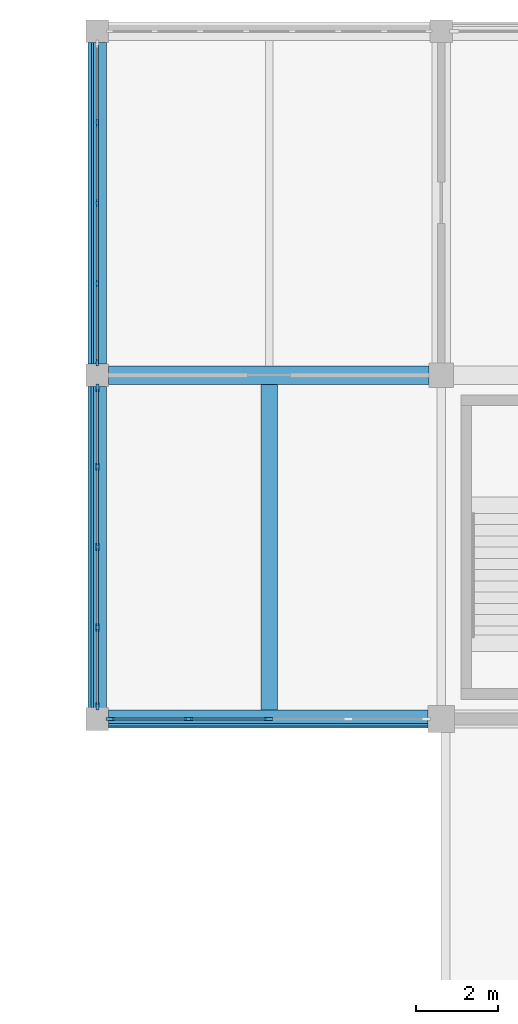
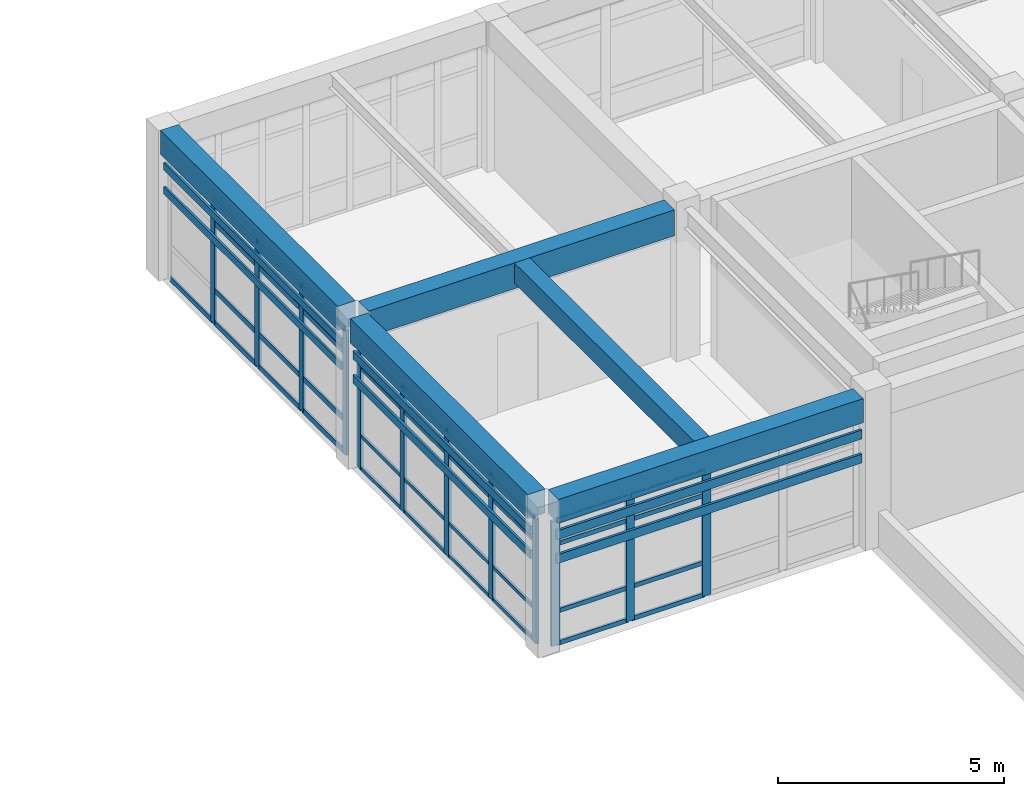
# One storey, part 2 of 18: 55 members, 5 beams, 3 elements without a shape of their own.
"""IFC4 building model written with IfcOpenShell, lengths in metres."""

import ifcopenshell
import ifcopenshell.guid

model = None  # the IFC model being written
_history = None  # IfcOwnerHistory: only IFC2X3 demands one
_inside = {}  # id of a spatial element -> (the spatial element, [elements in it])
_under = {}  # id of a project, library or spatial element -> (it, [spatial elements below it])
_declared = {}  # id of a project -> (the project, [libraries it declares])
_typed = {}  # id of a type object -> (the type object, [elements of that type])
_made_of = {}  # id of a material, layer set ... -> (it, [elements and type objects made of it])


def new_model(schema):
    """Start an empty IFC model of exactly this schema.

    Asked for "IFC4X3", IfcOpenShell would pick the latest addendum, in which some entities
    have other attributes; the version numbers below select the first issue.
    IFC2X3 requires an IfcOwnerHistory on every rooted entity: one is made here for all.
    """
    global model, _history
    if schema == "IFC4X3":
        model = ifcopenshell.file(schema_version=(4, 3, 0, 0))
    else:
        model = ifcopenshell.file(schema=schema)
    _inside.clear()
    _under.clear()
    _declared.clear()
    _typed.clear()
    _made_of.clear()
    _history = None
    if model.schema == "IFC2X3":
        org = make("IfcOrganization", Name="unknown")
        user = make(
            "IfcPersonAndOrganization",
            ThePerson=make("IfcPerson", FamilyName="unknown"),
            TheOrganization=org,
        )
        app = make(
            "IfcApplication",
            ApplicationDeveloper=org,
            Version="unknown",
            ApplicationFullName="unknown",
            ApplicationIdentifier="unknown",
        )
        _history = make(
            "IfcOwnerHistory",
            OwningUser=user,
            OwningApplication=app,
            ChangeAction="ADDED",
            CreationDate=0,
        )
    return model


def make(cls, **values):
    """One entity of the class cls with the attributes given. An attribute that is None is left unset."""
    return model.create_entity(
        cls, **{name: value for name, value in values.items() if value is not None}
    )


def rooted(cls, **values):
    """An entity with a GlobalId (a new one), such as an element, a storey or a relation."""
    return make(cls, GlobalId=ifcopenshell.guid.new(), OwnerHistory=_history, **values)


def si_unit(unit_type, name, prefix=None):
    """IfcSIUnit, for example si_unit("LENGTHUNIT", "METRE", prefix="MILLI")."""
    return make("IfcSIUnit", UnitType=unit_type, Prefix=prefix, Name=name)


def assignment(units):
    """IfcUnitAssignment: the units of a project."""
    return None if units is None else make("IfcUnitAssignment", Units=units)


def point(xyz):
    """IfcCartesianPoint."""
    return None if xyz is None else make("IfcCartesianPoint", Coordinates=xyz)


def direction(xyz):
    """IfcDirection."""
    return None if xyz is None else make("IfcDirection", DirectionRatios=xyz)


def frame(location, z_axis=None, x_axis=None):
    """IfcAxis2Placement3D, a coordinate frame: its origin and axes. An axis left out is left unset."""
    return make(
        "IfcAxis2Placement3D",
        Location=point(location),
        Axis=direction(z_axis),
        RefDirection=direction(x_axis),
    )


def frame_2d(location, x_axis=None):
    """IfcAxis2Placement2D, a coordinate frame in the plane: its origin and x axis."""
    return make(
        "IfcAxis2Placement2D", Location=point(location), RefDirection=direction(x_axis)
    )


def origin():
    """The frame at (0, 0, 0) with its axes left unset."""
    return frame((0.0, 0.0, 0.0))


def origin_2d():
    """The frame at (0, 0) in the plane with its x axis left unset."""
    return frame_2d((0.0, 0.0))


def place(relative_to, where):
    """IfcLocalPlacement: puts the frame where relative to a parent placement (None: the world)."""
    return make(
        "IfcLocalPlacement", PlacementRelTo=relative_to, RelativePlacement=where
    )


def context(
    kind, dimensions, precision=None, world=None, true_north=None, identifier=None
):
    """IfcGeometricRepresentationContext, for example the 3D "Model" context."""
    return make(
        "IfcGeometricRepresentationContext",
        ContextIdentifier=identifier,
        ContextType=kind,
        CoordinateSpaceDimension=dimensions,
        Precision=precision,
        WorldCoordinateSystem=world,
        TrueNorth=true_north,
    )


def subcontext(parent, identifier, kind, view, scale=None):
    """IfcGeometricRepresentationSubContext, for example "Body" below "Model"."""
    return make(
        "IfcGeometricRepresentationSubContext",
        ContextIdentifier=identifier,
        ContextType=kind,
        ParentContext=parent,
        TargetScale=scale,
        TargetView=view,
    )


def project(units=None, contexts=None):
    """IfcProject with its units and contexts."""
    return rooted(
        "IfcProject",
        Name="project",
        RepresentationContexts=contexts,
        UnitsInContext=assignment(units),
    )


def spatial(cls, under=None, at=None, **own):
    """A site, building, storey or space (cls), placed at a placement, below another one or the project."""
    s = rooted(cls, ObjectPlacement=at, **own)
    if under is not None:
        _under.setdefault(under.id(), (under, []))[1].append(s)
    return s


def profile(cls, at=None, kind="AREA", **sizes):
    """A parametric profile (cls). Its sizes go by their IFC names, for example OverallWidth=200.0."""
    return make(cls, ProfileType=kind, Position=at, **sizes)


def rectangle(**sizes):
    """IfcRectangleProfileDef."""
    return profile("IfcRectangleProfileDef", **sizes)


def extrude(swept, where, along, depth):
    """IfcExtrudedAreaSolid: the profile swept, set in the frame where, extruded along a direction by depth."""
    return make(
        "IfcExtrudedAreaSolid",
        SweptArea=swept,
        Position=where,
        ExtrudedDirection=direction(along),
        Depth=depth,
    )


def shape(context_of_items, identifier, shape_type, items):
    """IfcShapeRepresentation: the items that make up one representation, for example the "Body"."""
    return make(
        "IfcShapeRepresentation",
        ContextOfItems=context_of_items,
        RepresentationIdentifier=identifier,
        RepresentationType=shape_type,
        Items=items,
    )


def material(Name=None, Category=None):
    """IfcMaterial."""
    return make("IfcMaterial", Name=Name, Category=Category)


def layer(
    of_material, thickness, ventilated=None, Name=None, Category=None, Priority=None
):
    """IfcMaterialLayer: one layer of a wall or slab, of a material (None: an air gap)."""
    return make(
        "IfcMaterialLayer",
        Material=of_material,
        LayerThickness=thickness,
        IsVentilated=ventilated,
        Name=Name,
        Category=Category,
        Priority=Priority,
    )


def layer_set(layers, Name=None):
    """IfcMaterialLayerSet."""
    return make("IfcMaterialLayerSet", MaterialLayers=layers, LayerSetName=Name)


def material_profile(
    of_material, cross_section, Name=None, Category=None, Priority=None
):
    """IfcMaterialProfile: a cross section and its material."""
    return make(
        "IfcMaterialProfile",
        Name=Name,
        Material=of_material,
        Profile=cross_section,
        Priority=Priority,
        Category=Category,
    )


def profile_set(profiles, Name=None, composite=None):
    """IfcMaterialProfileSet."""
    return make(
        "IfcMaterialProfileSet",
        Name=Name,
        MaterialProfiles=profiles,
        CompositeProfile=composite,
    )


def made_of(thing, what):
    """Note that an element or type object is made of a material, layer set ...; save() writes the relation."""
    if what is not None:
        _made_of.setdefault(what.id(), (what, []))[1].append(thing)
    return thing


def type_object(cls, material=None, **own):
    """A type object (cls), such as IfcWallType, which elements share."""
    return made_of(rooted(cls, **own), material)


def element(
    cls,
    number,
    at=None,
    inside=None,
    cuts=None,
    type_object=None,
    material=None,
    context=None,
    identifier="Body",
    shape_type=None,
    held_by="IfcProductDefinitionShape",
    body=None,
    shapes=None,
    **own,
):
    """One element of the class cls, such as IfcWall. Its Tag is "e" and its number.

    at: its placement. inside: the storey or other place that contains it. cuts: it is an
    opening in that element (IfcRelVoidsElement). A single representation is given by context,
    identifier, shape_type and body (its items); several are given by shapes. held_by: the class
    of the entity that holds the representations. save() writes the other relations.
    """
    e = rooted(cls, Tag="e%d" % number, ObjectPlacement=at, **own)
    if body is not None:
        shapes = [shape(context, identifier, shape_type, body)]
    if shapes is not None:
        e.Representation = make(held_by, Representations=shapes)
    if inside is not None:
        _inside.setdefault(inside.id(), (inside, []))[1].append(e)
    if cuts is not None:
        rooted(
            "IfcRelVoidsElement", RelatingBuildingElement=cuts, RelatedOpeningElement=e
        )
    if type_object is not None:
        _typed.setdefault(type_object.id(), (type_object, []))[1].append(e)
    return made_of(e, material)


def aggregate(whole, parts):
    """IfcRelAggregates: a whole, such as a stair, and the parts it consists of."""
    return rooted("IfcRelAggregates", RelatingObject=whole, RelatedObjects=parts)


def save(model, path):
    """Write the relations noted so far, then the file.

    IfcRelAggregates (storeys below a building ...), IfcRelContainedInSpatialStructure (elements
    in a storey), IfcRelDefinesByType, IfcRelAssociatesMaterial and IfcRelDeclares: one each for
    every whole, place, type object, material and project.
    """
    for whole, parts in _under.values():
        aggregate(whole, parts)
    for where, things in _inside.values():
        rooted(
            "IfcRelContainedInSpatialStructure",
            RelatedElements=things,
            RelatingStructure=where,
        )
    for kind, things in _typed.values():
        rooted("IfcRelDefinesByType", RelatedObjects=things, RelatingType=kind)
    for what, things in _made_of.values():
        rooted("IfcRelAssociatesMaterial", RelatedObjects=things, RelatingMaterial=what)
    for by, libraries in _declared.values():
        rooted("IfcRelDeclares", RelatingContext=by, RelatedDefinitions=libraries)
    model.write(path)


model = new_model("IFC4")

# Units and contexts
model_context = context("Model", 3, precision=1e-05, world=origin(), true_north=direction((0.0, 1.0)))
body_context = subcontext(model_context, "Body", "Model", "MODEL_VIEW")
ifc_project = project(units=[si_unit("LENGTHUNIT", "METRE"), si_unit("AREAUNIT", "SQUARE_METRE"), si_unit("VOLUMEUNIT", "CUBIC_METRE"), si_unit("PLANEANGLEUNIT", "RADIAN"), si_unit("MASSUNIT", "GRAM", prefix="KILO")], contexts=[model_context])

# Site, building, storey
site_placement = place(None, origin())
site = spatial("IfcSite", under=ifc_project, at=site_placement, CompositionType="ELEMENT")
building_placement = place(site_placement, origin())
building = spatial("IfcBuilding", under=site, at=building_placement, Name="Porcellanite Civic Hall", CompositionType="ELEMENT")
storey_placement = place(building_placement, frame((0.0, 0.0, 23.39990234375)))
storey = spatial("IfcBuildingStorey", under=building, at=storey_placement, Name="L05", CompositionType="ELEMENT", Elevation=23.39990234375)

# Beams
ifc_material_1 = material(Name="Concrete N50 (50 MPa)", Category="concrete")
ifc_material_profile_1 = material_profile(ifc_material_1, rectangle(XDim=0.39990234375, YDim=0.550048828125, at=origin_2d()), Name="RC-400x550")
ifc_profile_set_1 = profile_set([ifc_material_profile_1], Name="Concrete N50 (50 MPa)")
beam_type_1 = type_object("IfcBeamType", Name="BM-RC550", PredefinedType="JOIST", material=ifc_profile_set_1)
beam_1_placement = place(storey_placement, frame((46.199951171875, 101.0244140625, 3.795166015625), z_axis=(0.0, 1.0, 0.0), x_axis=(-1.0, 0.0, 0.0)))
element("IfcBeam", 1, at=beam_1_placement, inside=storey, type_object=beam_type_1, Name="Secondary joist L05 6-13", PredefinedType="JOIST", context=body_context, shape_type="SweptSolid", body=[
    extrude(rectangle(XDim=0.39990234375, YDim=0.550048828125, at=origin_2d()), origin(), (0.0, 0.0, 1.0), 7.951171875),
])
ifc_material_2 = material(Name="Concrete N50 (50 MPa)", Category="concrete")
ifc_material_profile_2 = material_profile(ifc_material_2, rectangle(XDim=0.449951171875, YDim=0.64990234375, at=origin_2d()), Name="RC-450x650")
ifc_profile_set_2 = profile_set([ifc_material_profile_2], Name="Concrete N50 (50 MPa)")
beam_type_2 = type_object("IfcBeamType", Name="BM-RC650", PredefinedType="SPANDREL", material=ifc_profile_set_2)
beam_2_placement = place(storey_placement, frame((42.2744140625, 100.800048828125, 3.7451171875), z_axis=(1.0, 0.0, 0.0), x_axis=(0.0, 1.0, 0.0)))
element("IfcBeam", 2, at=beam_2_placement, inside=storey, type_object=beam_type_2, Name="Beam X L05 6-13", PredefinedType="SPANDREL", context=body_context, shape_type="SweptSolid", body=[
    extrude(rectangle(XDim=0.449951171875, YDim=0.64990234375, at=origin_2d()), origin(), (0.0, 0.0, 1.0), 7.801025390625),
])
beam_3_placement = place(storey_placement, frame((42.0, 101.074462890625, 3.7451171875), z_axis=(0.0, 1.0, 0.0), x_axis=(-1.0, 0.0, 0.0)))
element("IfcBeam", 3, at=beam_3_placement, inside=storey, type_object=beam_type_2, Name="Beam Y L05 6-13", PredefinedType="SPANDREL", context=body_context, shape_type="SweptSolid", body=[
    extrude(rectangle(XDim=0.449951171875, YDim=0.64990234375, at=origin_2d()), origin(), (0.0, 0.0, 1.0), 7.85107421875),
])
beam_4_placement = place(storey_placement, frame((42.0, 109.474609375, 3.7451171875), z_axis=(0.0, 1.0, 0.0), x_axis=(-1.0, 0.0, 0.0)))
element("IfcBeam", 4, at=beam_4_placement, inside=storey, type_object=beam_type_2, Name="Beam Y L05 6-14", PredefinedType="SPANDREL", context=body_context, shape_type="SweptSolid", body=[
    extrude(rectangle(XDim=0.449951171875, YDim=0.64990234375, at=origin_2d()), origin(), (0.0, 0.0, 1.0), 7.850830078125),
])
ifc_material_3 = material(Name="Concrete N50 (50 MPa)", Category="concrete")
ifc_material_profile_3 = material_profile(ifc_material_3, rectangle(XDim=0.449951171875, YDim=0.699951171875, at=origin_2d()), Name="RC-450x700")
ifc_profile_set_3 = profile_set([ifc_material_profile_3], Name="Concrete N50 (50 MPa)")
beam_type_3 = type_object("IfcBeamType", Name="BM-RC700", PredefinedType="BEAM", material=ifc_profile_set_3)
beam_5_placement = place(storey_placement, frame((42.2744140625, 109.199951171875, 3.72021484375), z_axis=(1.0, 0.0, 0.0), x_axis=(0.0, 1.0, 0.0)))
element("IfcBeam", 5, at=beam_5_placement, inside=storey, type_object=beam_type_3, Name="Beam X L05 6-14", PredefinedType="BEAM", context=body_context, shape_type="SweptSolid", body=[
    extrude(rectangle(XDim=0.449951171875, YDim=0.699951171875, at=origin_2d()), origin(), (0.0, 0.0, 1.0), 7.826171875),
])

# Curtain wall, members
ifc_material_4 = material(Name="Anodised aluminium and solar laminated glass", Category="aluminium")
ifc_layer_1 = layer(ifc_material_4, 0.179931640625)
ifc_layer_set_1 = layer_set([ifc_layer_1], Name="Anodised aluminium and solar laminated glass")
curtain_wall_type_1 = type_object("IfcCurtainWallType", Name="CW-SYS03", PredefinedType="NOTDEFINED", material=ifc_layer_set_1)
curtain_wall_1_placement = place(storey_placement, origin())
curtain_wall_1 = element("IfcCurtainWall", 6, at=curtain_wall_1_placement, inside=storey, type_object=curtain_wall_type_1, Name="Curtain wall CW-258", PredefinedType="NOTDEFINED")
ifc_material_5 = material(Name="Anodised aluminium 6063-T6", Category="aluminium")
ifc_material_profile_4 = material_profile(ifc_material_5, rectangle(XDim=0.080078125, YDim=0.2099609375, at=origin_2d()), Name="AL-80x210")
ifc_profile_set_4 = profile_set([ifc_material_profile_4], Name="Anodised aluminium 6063-T6")
member_type_1 = type_object("IfcMemberType", Name="CWM-02", PredefinedType="MULLION", material=ifc_profile_set_4)
member_1_placement = place(storey_placement, frame((46.175048828125, 100.800048828125, 0.0), z_axis=(0.0, 0.0, 1.0), x_axis=(0.0, -1.0, 0.0)))
member_1 = element("IfcMember", 7, at=member_1_placement, type_object=member_type_1, Name="CW-258 mullion 3", PredefinedType="MULLION", context=body_context, shape_type="SweptSolid", body=[
    extrude(rectangle(XDim=0.080078125, YDim=0.2099609375, at=origin_2d()), origin(), (0.0, 0.0, 1.0), 3.3701171875),
])
member_2_placement = place(storey_placement, frame((44.2255859375, 100.800048828125, 0.0), z_axis=(0.0, 0.0, 1.0), x_axis=(0.0, -1.0, 0.0)))
member_2 = element("IfcMember", 8, at=member_2_placement, type_object=member_type_1, Name="CW-258 mullion 4", PredefinedType="MULLION", context=body_context, shape_type="SweptSolid", body=[
    extrude(rectangle(XDim=0.080078125, YDim=0.2099609375, at=origin_2d()), origin(), (0.0, 0.0, 1.0), 3.3701171875),
])
member_3_placement = place(storey_placement, frame((42.31591796875, 100.800048828125, 0.0), z_axis=(0.0, 0.0, 1.0), x_axis=(0.0, -1.0, 0.0)))
member_3 = element("IfcMember", 9, at=member_3_placement, type_object=member_type_1, Name="CW-258 mullion 5", PredefinedType="MULLION", context=body_context, shape_type="SweptSolid", body=[
    extrude(rectangle(XDim=0.080078125, YDim=0.2099609375, at=origin_2d()), origin(), (0.0, 0.0, 1.0), 3.3701171875),
])

ifc_material_6 = material(Name="Anodised aluminium and solar laminated glass", Category="aluminium")
ifc_layer_2 = layer(ifc_material_6, 0.179931640625)
ifc_layer_set_2 = layer_set([ifc_layer_2], Name="Anodised aluminium and solar laminated glass")
curtain_wall_type_2 = type_object("IfcCurtainWallType", Name="CW-SYS04", PredefinedType="NOTDEFINED", material=ifc_layer_set_2)
curtain_wall_2_placement = place(storey_placement, origin())
curtain_wall_2 = element("IfcCurtainWall", 10, at=curtain_wall_2_placement, inside=storey, type_object=curtain_wall_type_2, Name="Curtain wall CW-259", PredefinedType="NOTDEFINED")
ifc_material_7 = material(Name="Anodised aluminium 6063-T6", Category="aluminium")
ifc_material_profile_5 = material_profile(ifc_material_7, rectangle(XDim=0.074951171875, YDim=0.18994140625, at=origin_2d()), Name="AL-75x190")
ifc_profile_set_5 = profile_set([ifc_material_profile_5], Name="Anodised aluminium 6063-T6")
member_type_2 = type_object("IfcMemberType", Name="CWM-04", PredefinedType="MULLION", material=ifc_profile_set_5)
member_4_placement = place(storey_placement, frame((42.0, 101.113525390625, 0.0), z_axis=(0.0, 0.0, 1.0), x_axis=(-1.0, 0.0, 0.0)))
member_4 = element("IfcMember", 11, at=member_4_placement, type_object=member_type_2, Name="CW-259 mullion 1", PredefinedType="MULLION", context=body_context, shape_type="SweptSolid", body=[
    extrude(rectangle(XDim=0.074951171875, YDim=0.18994140625, at=origin_2d()), origin(), (0.0, 0.0, 1.0), 3.3701171875),
])
member_5_placement = place(storey_placement, frame((42.0, 103.0380859375, 0.0), z_axis=(0.0, 0.0, 1.0), x_axis=(-1.0, 0.0, 0.0)))
member_5 = element("IfcMember", 12, at=member_5_placement, type_object=member_type_2, Name="CW-259 mullion 2", PredefinedType="MULLION", context=body_context, shape_type="SweptSolid", body=[
    extrude(rectangle(XDim=0.074951171875, YDim=0.18994140625, at=origin_2d()), origin(), (0.0, 0.0, 1.0), 3.3701171875),
])
member_6_placement = place(storey_placement, frame((42.0, 105.0, 0.0), z_axis=(0.0, 0.0, 1.0), x_axis=(-1.0, 0.0, 0.0)))
member_6 = element("IfcMember", 13, at=member_6_placement, type_object=member_type_2, Name="CW-259 mullion 3", PredefinedType="MULLION", context=body_context, shape_type="SweptSolid", body=[
    extrude(rectangle(XDim=0.074951171875, YDim=0.18994140625, at=origin_2d()), origin(), (0.0, 0.0, 1.0), 3.3701171875),
])
member_7_placement = place(storey_placement, frame((42.0, 106.9619140625, 0.0), z_axis=(0.0, 0.0, 1.0), x_axis=(-1.0, 0.0, 0.0)))
member_7 = element("IfcMember", 14, at=member_7_placement, type_object=member_type_2, Name="CW-259 mullion 4", PredefinedType="MULLION", context=body_context, shape_type="SweptSolid", body=[
    extrude(rectangle(XDim=0.074951171875, YDim=0.18994140625, at=origin_2d()), origin(), (0.0, 0.0, 1.0), 3.3701171875),
])
member_8_placement = place(storey_placement, frame((42.0, 108.886474609375, 0.0), z_axis=(0.0, 0.0, 1.0), x_axis=(-1.0, 0.0, 0.0)))
member_8 = element("IfcMember", 15, at=member_8_placement, type_object=member_type_2, Name="CW-259 mullion 5", PredefinedType="MULLION", context=body_context, shape_type="SweptSolid", body=[
    extrude(rectangle(XDim=0.074951171875, YDim=0.18994140625, at=origin_2d()), origin(), (0.0, 0.0, 1.0), 3.3701171875),
])

ifc_material_8 = material(Name="Anodised aluminium and solar laminated glass", Category="aluminium")
ifc_layer_3 = layer(ifc_material_8, 0.179931640625)
ifc_layer_set_3 = layer_set([ifc_layer_3], Name="Anodised aluminium and solar laminated glass")
curtain_wall_type_3 = type_object("IfcCurtainWallType", Name="CW-SYS06", PredefinedType="NOTDEFINED", material=ifc_layer_set_3)
curtain_wall_3_placement = place(storey_placement, origin())
curtain_wall_3 = element("IfcCurtainWall", 16, at=curtain_wall_3_placement, inside=storey, type_object=curtain_wall_type_3, Name="Curtain wall CW-260", PredefinedType="NOTDEFINED")
ifc_material_9 = material(Name="Anodised aluminium 6063-T6", Category="aluminium")
ifc_material_profile_6 = material_profile(ifc_material_9, rectangle(XDim=0.06494140625, YDim=0.179931640625, at=origin_2d()), Name="AL-65x180")
ifc_profile_set_6 = profile_set([ifc_material_profile_6], Name="Anodised aluminium 6063-T6")
member_type_3 = type_object("IfcMemberType", Name="CWM-06", PredefinedType="MULLION", material=ifc_profile_set_6)
member_9_placement = place(storey_placement, frame((42.0, 109.508544921875, 0.0), z_axis=(0.0, 0.0, 1.0), x_axis=(-1.0, 0.0, 0.0)))
member_9 = element("IfcMember", 17, at=member_9_placement, type_object=member_type_3, Name="CW-260 mullion 1", PredefinedType="MULLION", context=body_context, shape_type="SweptSolid", body=[
    extrude(rectangle(XDim=0.06494140625, YDim=0.179931640625, at=origin_2d()), origin(), (0.0, 0.0, 1.0), 3.3701171875),
])
member_10_placement = place(storey_placement, frame((42.0, 111.43798828125, 0.0), z_axis=(0.0, 0.0, 1.0), x_axis=(-1.0, 0.0, 0.0)))
member_10 = element("IfcMember", 18, at=member_10_placement, type_object=member_type_3, Name="CW-260 mullion 2", PredefinedType="MULLION", context=body_context, shape_type="SweptSolid", body=[
    extrude(rectangle(XDim=0.06494140625, YDim=0.179931640625, at=origin_2d()), origin(), (0.0, 0.0, 1.0), 3.3701171875),
])
member_11_placement = place(storey_placement, frame((42.0, 113.39990234375, 0.0), z_axis=(0.0, 0.0, 1.0), x_axis=(-1.0, 0.0, 0.0)))
member_11 = element("IfcMember", 19, at=member_11_placement, type_object=member_type_3, Name="CW-260 mullion 3", PredefinedType="MULLION", context=body_context, shape_type="SweptSolid", body=[
    extrude(rectangle(XDim=0.06494140625, YDim=0.179931640625, at=origin_2d()), origin(), (0.0, 0.0, 1.0), 3.3701171875),
])
member_12_placement = place(storey_placement, frame((42.0, 115.362060546875, 0.0), z_axis=(0.0, 0.0, 1.0), x_axis=(-1.0, 0.0, 0.0)))
member_12 = element("IfcMember", 20, at=member_12_placement, type_object=member_type_3, Name="CW-260 mullion 4", PredefinedType="MULLION", context=body_context, shape_type="SweptSolid", body=[
    extrude(rectangle(XDim=0.06494140625, YDim=0.179931640625, at=origin_2d()), origin(), (0.0, 0.0, 1.0), 3.3701171875),
])

# Member
ifc_material_10 = material(Name="Anodised aluminium 6063-T6", Category="aluminium")
ifc_material_profile_7 = material_profile(ifc_material_10, rectangle(XDim=0.054931640625, YDim=0.1201171875, at=origin_2d()), Name="AL-55x120")
ifc_profile_set_7 = profile_set([ifc_material_profile_7], Name="Anodised aluminium 6063-T6")
member_type_4 = type_object("IfcMemberType", Name="CWT-04", PredefinedType="USERDEFINED", material=ifc_profile_set_7)
member_13_placement = place(storey_placement, frame((46.135009765625, 100.800048828125, 0.027587890625), z_axis=(-1.0, 0.0, 0.0), x_axis=(0.0, -1.0, 0.0)))
member_13 = element("IfcMember", 21, at=member_13_placement, type_object=member_type_4, Name="CW-258 transom 3.1", ObjectType="TRANSOM", PredefinedType="USERDEFINED", context=body_context, shape_type="SweptSolid", body=[
    extrude(rectangle(XDim=0.054931640625, YDim=0.1201171875, at=origin_2d()), origin(), (0.0, 0.0, 1.0), 1.86962890625),
])

member_14_placement = place(storey_placement, frame((46.135009765625, 100.800048828125, 0.900146484375), z_axis=(-1.0, 0.0, 0.0), x_axis=(0.0, -1.0, 0.0)))
member_14 = element("IfcMember", 22, at=member_14_placement, type_object=member_type_4, Name="CW-258 transom 3.2", ObjectType="TRANSOM", PredefinedType="USERDEFINED", context=body_context, shape_type="SweptSolid", body=[
    extrude(rectangle(XDim=0.054931640625, YDim=0.1201171875, at=origin_2d()), origin(), (0.0, 0.0, 1.0), 1.86962890625),
])

member_15_placement = place(storey_placement, frame((46.135009765625, 100.800048828125, 2.72021484375), z_axis=(-1.0, 0.0, 0.0), x_axis=(0.0, -1.0, 0.0)))
member_15 = element("IfcMember", 23, at=member_15_placement, type_object=member_type_4, Name="CW-258 transom 3.3", ObjectType="TRANSOM", PredefinedType="USERDEFINED", context=body_context, shape_type="SweptSolid", body=[
    extrude(rectangle(XDim=0.054931640625, YDim=0.1201171875, at=origin_2d()), origin(), (0.0, 0.0, 1.0), 1.86962890625),
])

member_16_placement = place(storey_placement, frame((46.135009765625, 100.800048828125, 3.342529296875), z_axis=(-1.0, 0.0, 0.0), x_axis=(0.0, -1.0, 0.0)))
member_16 = element("IfcMember", 24, at=member_16_placement, type_object=member_type_4, Name="CW-258 transom 3.4", ObjectType="TRANSOM", PredefinedType="USERDEFINED", context=body_context, shape_type="SweptSolid", body=[
    extrude(rectangle(XDim=0.054931640625, YDim=0.1201171875, at=origin_2d()), origin(), (0.0, 0.0, 1.0), 1.86962890625),
])

member_17_placement = place(storey_placement, frame((44.185546875, 100.800048828125, 0.027587890625), z_axis=(-1.0, 0.0, 0.0), x_axis=(0.0, -1.0, 0.0)))
member_17 = element("IfcMember", 25, at=member_17_placement, type_object=member_type_4, Name="CW-258 transom 4.1", ObjectType="TRANSOM", PredefinedType="USERDEFINED", context=body_context, shape_type="SweptSolid", body=[
    extrude(rectangle(XDim=0.054931640625, YDim=0.1201171875, at=origin_2d()), origin(), (0.0, 0.0, 1.0), 1.82958984375),
])

member_18_placement = place(storey_placement, frame((44.185546875, 100.800048828125, 0.900146484375), z_axis=(-1.0, 0.0, 0.0), x_axis=(0.0, -1.0, 0.0)))
member_18 = element("IfcMember", 26, at=member_18_placement, type_object=member_type_4, Name="CW-258 transom 4.2", ObjectType="TRANSOM", PredefinedType="USERDEFINED", context=body_context, shape_type="SweptSolid", body=[
    extrude(rectangle(XDim=0.054931640625, YDim=0.1201171875, at=origin_2d()), origin(), (0.0, 0.0, 1.0), 1.82958984375),
])

member_19_placement = place(storey_placement, frame((44.185546875, 100.800048828125, 2.72021484375), z_axis=(-1.0, 0.0, 0.0), x_axis=(0.0, -1.0, 0.0)))
member_19 = element("IfcMember", 27, at=member_19_placement, type_object=member_type_4, Name="CW-258 transom 4.3", ObjectType="TRANSOM", PredefinedType="USERDEFINED", context=body_context, shape_type="SweptSolid", body=[
    extrude(rectangle(XDim=0.054931640625, YDim=0.1201171875, at=origin_2d()), origin(), (0.0, 0.0, 1.0), 1.82958984375),
])

member_20_placement = place(storey_placement, frame((44.185546875, 100.800048828125, 3.342529296875), z_axis=(-1.0, 0.0, 0.0), x_axis=(0.0, -1.0, 0.0)))
member_20 = element("IfcMember", 28, at=member_20_placement, type_object=member_type_4, Name="CW-258 transom 4.4", ObjectType="TRANSOM", PredefinedType="USERDEFINED", context=body_context, shape_type="SweptSolid", body=[
    extrude(rectangle(XDim=0.054931640625, YDim=0.1201171875, at=origin_2d()), origin(), (0.0, 0.0, 1.0), 1.82958984375),
])

aggregate(curtain_wall_1, [member_1, member_2, member_3, member_13, member_14, member_15, member_16, member_17, member_18, member_19, member_20])

ifc_material_11 = material(Name="Anodised aluminium 6063-T6", Category="aluminium")
ifc_material_profile_8 = material_profile(ifc_material_11, rectangle(XDim=0.054931640625, YDim=0.10009765625, at=origin_2d()), Name="AL-55x100")
ifc_profile_set_8 = profile_set([ifc_material_profile_8], Name="Anodised aluminium 6063-T6")
member_type_5 = type_object("IfcMemberType", Name="CWT-05", PredefinedType="USERDEFINED", material=ifc_profile_set_8)
member_21_placement = place(storey_placement, frame((42.0, 101.15087890625, 0.027587890625), z_axis=(0.0, 1.0, 0.0), x_axis=(-1.0, 0.0, 0.0)))
member_21 = element("IfcMember", 29, at=member_21_placement, type_object=member_type_5, Name="CW-259 transom 1.1", ObjectType="TRANSOM", PredefinedType="USERDEFINED", context=body_context, shape_type="SweptSolid", body=[
    extrude(rectangle(XDim=0.054931640625, YDim=0.10009765625, at=origin_2d()), origin(), (0.0, 0.0, 1.0), 1.849609375),
])

member_22_placement = place(storey_placement, frame((42.0, 101.15087890625, 0.900146484375), z_axis=(0.0, 1.0, 0.0), x_axis=(-1.0, 0.0, 0.0)))
member_22 = element("IfcMember", 30, at=member_22_placement, type_object=member_type_5, Name="CW-259 transom 1.2", ObjectType="TRANSOM", PredefinedType="USERDEFINED", context=body_context, shape_type="SweptSolid", body=[
    extrude(rectangle(XDim=0.054931640625, YDim=0.10009765625, at=origin_2d()), origin(), (0.0, 0.0, 1.0), 1.849609375),
])

member_23_placement = place(storey_placement, frame((42.0, 101.15087890625, 2.72021484375), z_axis=(0.0, 1.0, 0.0), x_axis=(-1.0, 0.0, 0.0)))
member_23 = element("IfcMember", 31, at=member_23_placement, type_object=member_type_5, Name="CW-259 transom 1.3", ObjectType="TRANSOM", PredefinedType="USERDEFINED", context=body_context, shape_type="SweptSolid", body=[
    extrude(rectangle(XDim=0.054931640625, YDim=0.10009765625, at=origin_2d()), origin(), (0.0, 0.0, 1.0), 1.849609375),
])

member_24_placement = place(storey_placement, frame((42.0, 101.15087890625, 3.342529296875), z_axis=(0.0, 1.0, 0.0), x_axis=(-1.0, 0.0, 0.0)))
member_24 = element("IfcMember", 32, at=member_24_placement, type_object=member_type_5, Name="CW-259 transom 1.4", ObjectType="TRANSOM", PredefinedType="USERDEFINED", context=body_context, shape_type="SweptSolid", body=[
    extrude(rectangle(XDim=0.054931640625, YDim=0.10009765625, at=origin_2d()), origin(), (0.0, 0.0, 1.0), 1.849609375),
])

member_25_placement = place(storey_placement, frame((42.0, 103.075439453125, 0.027587890625), z_axis=(0.0, 1.0, 0.0), x_axis=(-1.0, 0.0, 0.0)))
member_25 = element("IfcMember", 33, at=member_25_placement, type_object=member_type_5, Name="CW-259 transom 2.1", ObjectType="TRANSOM", PredefinedType="USERDEFINED", context=body_context, shape_type="SweptSolid", body=[
    extrude(rectangle(XDim=0.054931640625, YDim=0.10009765625, at=origin_2d()), origin(), (0.0, 0.0, 1.0), 1.886962890625),
])

member_26_placement = place(storey_placement, frame((42.0, 103.075439453125, 0.900146484375), z_axis=(0.0, 1.0, 0.0), x_axis=(-1.0, 0.0, 0.0)))
member_26 = element("IfcMember", 34, at=member_26_placement, type_object=member_type_5, Name="CW-259 transom 2.2", ObjectType="TRANSOM", PredefinedType="USERDEFINED", context=body_context, shape_type="SweptSolid", body=[
    extrude(rectangle(XDim=0.054931640625, YDim=0.10009765625, at=origin_2d()), origin(), (0.0, 0.0, 1.0), 1.886962890625),
])

member_27_placement = place(storey_placement, frame((42.0, 103.075439453125, 2.72021484375), z_axis=(0.0, 1.0, 0.0), x_axis=(-1.0, 0.0, 0.0)))
member_27 = element("IfcMember", 35, at=member_27_placement, type_object=member_type_5, Name="CW-259 transom 2.3", ObjectType="TRANSOM", PredefinedType="USERDEFINED", context=body_context, shape_type="SweptSolid", body=[
    extrude(rectangle(XDim=0.054931640625, YDim=0.10009765625, at=origin_2d()), origin(), (0.0, 0.0, 1.0), 1.886962890625),
])

member_28_placement = place(storey_placement, frame((42.0, 103.075439453125, 3.342529296875), z_axis=(0.0, 1.0, 0.0), x_axis=(-1.0, 0.0, 0.0)))
member_28 = element("IfcMember", 36, at=member_28_placement, type_object=member_type_5, Name="CW-259 transom 2.4", ObjectType="TRANSOM", PredefinedType="USERDEFINED", context=body_context, shape_type="SweptSolid", body=[
    extrude(rectangle(XDim=0.054931640625, YDim=0.10009765625, at=origin_2d()), origin(), (0.0, 0.0, 1.0), 1.886962890625),
])

member_29_placement = place(storey_placement, frame((42.0, 105.03759765625, 0.027587890625), z_axis=(0.0, 1.0, 0.0), x_axis=(-1.0, 0.0, 0.0)))
member_29 = element("IfcMember", 37, at=member_29_placement, type_object=member_type_5, Name="CW-259 transom 3.1", ObjectType="TRANSOM", PredefinedType="USERDEFINED", context=body_context, shape_type="SweptSolid", body=[
    extrude(rectangle(XDim=0.054931640625, YDim=0.10009765625, at=origin_2d()), origin(), (0.0, 0.0, 1.0), 1.886962890625),
])

member_30_placement = place(storey_placement, frame((42.0, 105.03759765625, 0.900146484375), z_axis=(0.0, 1.0, 0.0), x_axis=(-1.0, 0.0, 0.0)))
member_30 = element("IfcMember", 38, at=member_30_placement, type_object=member_type_5, Name="CW-259 transom 3.2", ObjectType="TRANSOM", PredefinedType="USERDEFINED", context=body_context, shape_type="SweptSolid", body=[
    extrude(rectangle(XDim=0.054931640625, YDim=0.10009765625, at=origin_2d()), origin(), (0.0, 0.0, 1.0), 1.886962890625),
])

member_31_placement = place(storey_placement, frame((42.0, 105.03759765625, 2.72021484375), z_axis=(0.0, 1.0, 0.0), x_axis=(-1.0, 0.0, 0.0)))
member_31 = element("IfcMember", 39, at=member_31_placement, type_object=member_type_5, Name="CW-259 transom 3.3", ObjectType="TRANSOM", PredefinedType="USERDEFINED", context=body_context, shape_type="SweptSolid", body=[
    extrude(rectangle(XDim=0.054931640625, YDim=0.10009765625, at=origin_2d()), origin(), (0.0, 0.0, 1.0), 1.886962890625),
])

member_32_placement = place(storey_placement, frame((42.0, 105.03759765625, 3.342529296875), z_axis=(0.0, 1.0, 0.0), x_axis=(-1.0, 0.0, 0.0)))
member_32 = element("IfcMember", 40, at=member_32_placement, type_object=member_type_5, Name="CW-259 transom 3.4", ObjectType="TRANSOM", PredefinedType="USERDEFINED", context=body_context, shape_type="SweptSolid", body=[
    extrude(rectangle(XDim=0.054931640625, YDim=0.10009765625, at=origin_2d()), origin(), (0.0, 0.0, 1.0), 1.886962890625),
])

member_33_placement = place(storey_placement, frame((42.0, 106.99951171875, 0.027587890625), z_axis=(0.0, 1.0, 0.0), x_axis=(-1.0, 0.0, 0.0)))
member_33 = element("IfcMember", 41, at=member_33_placement, type_object=member_type_5, Name="CW-259 transom 4.1", ObjectType="TRANSOM", PredefinedType="USERDEFINED", context=body_context, shape_type="SweptSolid", body=[
    extrude(rectangle(XDim=0.054931640625, YDim=0.10009765625, at=origin_2d()), origin(), (0.0, 0.0, 1.0), 1.849609375),
])

member_34_placement = place(storey_placement, frame((42.0, 106.99951171875, 0.900146484375), z_axis=(0.0, 1.0, 0.0), x_axis=(-1.0, 0.0, 0.0)))
member_34 = element("IfcMember", 42, at=member_34_placement, type_object=member_type_5, Name="CW-259 transom 4.2", ObjectType="TRANSOM", PredefinedType="USERDEFINED", context=body_context, shape_type="SweptSolid", body=[
    extrude(rectangle(XDim=0.054931640625, YDim=0.10009765625, at=origin_2d()), origin(), (0.0, 0.0, 1.0), 1.849609375),
])

member_35_placement = place(storey_placement, frame((42.0, 106.99951171875, 2.72021484375), z_axis=(0.0, 1.0, 0.0), x_axis=(-1.0, 0.0, 0.0)))
member_35 = element("IfcMember", 43, at=member_35_placement, type_object=member_type_5, Name="CW-259 transom 4.3", ObjectType="TRANSOM", PredefinedType="USERDEFINED", context=body_context, shape_type="SweptSolid", body=[
    extrude(rectangle(XDim=0.054931640625, YDim=0.10009765625, at=origin_2d()), origin(), (0.0, 0.0, 1.0), 1.849609375),
])

member_36_placement = place(storey_placement, frame((42.0, 106.99951171875, 3.342529296875), z_axis=(0.0, 1.0, 0.0), x_axis=(-1.0, 0.0, 0.0)))
member_36 = element("IfcMember", 44, at=member_36_placement, type_object=member_type_5, Name="CW-259 transom 4.4", ObjectType="TRANSOM", PredefinedType="USERDEFINED", context=body_context, shape_type="SweptSolid", body=[
    extrude(rectangle(XDim=0.054931640625, YDim=0.10009765625, at=origin_2d()), origin(), (0.0, 0.0, 1.0), 1.849609375),
])

aggregate(curtain_wall_2, [member_4, member_5, member_6, member_7, member_8, member_21, member_22, member_23, member_24, member_25, member_26, member_27, member_28, member_29, member_30, member_31, member_32, member_33, member_34, member_35, member_36])

ifc_material_12 = material(Name="Anodised aluminium 6063-T6", Category="aluminium")
ifc_material_profile_9 = material_profile(ifc_material_12, rectangle(XDim=0.050048828125, YDim=0.139892578125, at=origin_2d()), Name="AL-50x140")
ifc_profile_set_9 = profile_set([ifc_material_profile_9], Name="Anodised aluminium 6063-T6")
member_type_6 = type_object("IfcMemberType", Name="CWT-06", PredefinedType="USERDEFINED", material=ifc_profile_set_9)
member_37_placement = place(storey_placement, frame((42.0, 109.541015625, 0.025146484375), z_axis=(0.0, 1.0, 0.0), x_axis=(-1.0, 0.0, 0.0)))
member_37 = element("IfcMember", 45, at=member_37_placement, type_object=member_type_6, Name="CW-260 transom 1.1", ObjectType="TRANSOM", PredefinedType="USERDEFINED", context=body_context, shape_type="SweptSolid", body=[
    extrude(rectangle(XDim=0.050048828125, YDim=0.139892578125, at=origin_2d()), origin(), (0.0, 0.0, 1.0), 1.864501953125),
])

member_38_placement = place(storey_placement, frame((42.0, 109.541015625, 0.900146484375), z_axis=(0.0, 1.0, 0.0), x_axis=(-1.0, 0.0, 0.0)))
member_38 = element("IfcMember", 46, at=member_38_placement, type_object=member_type_6, Name="CW-260 transom 1.2", ObjectType="TRANSOM", PredefinedType="USERDEFINED", context=body_context, shape_type="SweptSolid", body=[
    extrude(rectangle(XDim=0.050048828125, YDim=0.139892578125, at=origin_2d()), origin(), (0.0, 0.0, 1.0), 1.864501953125),
])

member_39_placement = place(storey_placement, frame((42.0, 109.541015625, 2.72021484375), z_axis=(0.0, 1.0, 0.0), x_axis=(-1.0, 0.0, 0.0)))
member_39 = element("IfcMember", 47, at=member_39_placement, type_object=member_type_6, Name="CW-260 transom 1.3", ObjectType="TRANSOM", PredefinedType="USERDEFINED", context=body_context, shape_type="SweptSolid", body=[
    extrude(rectangle(XDim=0.050048828125, YDim=0.139892578125, at=origin_2d()), origin(), (0.0, 0.0, 1.0), 1.864501953125),
])

member_40_placement = place(storey_placement, frame((42.0, 109.541015625, 3.34521484375), z_axis=(0.0, 1.0, 0.0), x_axis=(-1.0, 0.0, 0.0)))
member_40 = element("IfcMember", 48, at=member_40_placement, type_object=member_type_6, Name="CW-260 transom 1.4", ObjectType="TRANSOM", PredefinedType="USERDEFINED", context=body_context, shape_type="SweptSolid", body=[
    extrude(rectangle(XDim=0.050048828125, YDim=0.139892578125, at=origin_2d()), origin(), (0.0, 0.0, 1.0), 1.864501953125),
])

member_41_placement = place(storey_placement, frame((42.0, 111.470458984375, 0.025146484375), z_axis=(0.0, 1.0, 0.0), x_axis=(-1.0, 0.0, 0.0)))
member_41 = element("IfcMember", 49, at=member_41_placement, type_object=member_type_6, Name="CW-260 transom 2.1", ObjectType="TRANSOM", PredefinedType="USERDEFINED", context=body_context, shape_type="SweptSolid", body=[
    extrude(rectangle(XDim=0.050048828125, YDim=0.139892578125, at=origin_2d()), origin(), (0.0, 0.0, 1.0), 1.89697265625),
])

member_42_placement = place(storey_placement, frame((42.0, 111.470458984375, 0.900146484375), z_axis=(0.0, 1.0, 0.0), x_axis=(-1.0, 0.0, 0.0)))
member_42 = element("IfcMember", 50, at=member_42_placement, type_object=member_type_6, Name="CW-260 transom 2.2", ObjectType="TRANSOM", PredefinedType="USERDEFINED", context=body_context, shape_type="SweptSolid", body=[
    extrude(rectangle(XDim=0.050048828125, YDim=0.139892578125, at=origin_2d()), origin(), (0.0, 0.0, 1.0), 1.89697265625),
])

member_43_placement = place(storey_placement, frame((42.0, 111.470458984375, 2.72021484375), z_axis=(0.0, 1.0, 0.0), x_axis=(-1.0, 0.0, 0.0)))
member_43 = element("IfcMember", 51, at=member_43_placement, type_object=member_type_6, Name="CW-260 transom 2.3", ObjectType="TRANSOM", PredefinedType="USERDEFINED", context=body_context, shape_type="SweptSolid", body=[
    extrude(rectangle(XDim=0.050048828125, YDim=0.139892578125, at=origin_2d()), origin(), (0.0, 0.0, 1.0), 1.89697265625),
])

member_44_placement = place(storey_placement, frame((42.0, 111.470458984375, 3.34521484375), z_axis=(0.0, 1.0, 0.0), x_axis=(-1.0, 0.0, 0.0)))
member_44 = element("IfcMember", 52, at=member_44_placement, type_object=member_type_6, Name="CW-260 transom 2.4", ObjectType="TRANSOM", PredefinedType="USERDEFINED", context=body_context, shape_type="SweptSolid", body=[
    extrude(rectangle(XDim=0.050048828125, YDim=0.139892578125, at=origin_2d()), origin(), (0.0, 0.0, 1.0), 1.89697265625),
])

member_45_placement = place(storey_placement, frame((42.0, 113.4326171875, 0.025146484375), z_axis=(0.0, 1.0, 0.0), x_axis=(-1.0, 0.0, 0.0)))
member_45 = element("IfcMember", 53, at=member_45_placement, type_object=member_type_6, Name="CW-260 transom 3.1", ObjectType="TRANSOM", PredefinedType="USERDEFINED", context=body_context, shape_type="SweptSolid", body=[
    extrude(rectangle(XDim=0.050048828125, YDim=0.139892578125, at=origin_2d()), origin(), (0.0, 0.0, 1.0), 1.89697265625),
])

member_46_placement = place(storey_placement, frame((42.0, 113.4326171875, 0.900146484375), z_axis=(0.0, 1.0, 0.0), x_axis=(-1.0, 0.0, 0.0)))
member_46 = element("IfcMember", 54, at=member_46_placement, type_object=member_type_6, Name="CW-260 transom 3.2", ObjectType="TRANSOM", PredefinedType="USERDEFINED", context=body_context, shape_type="SweptSolid", body=[
    extrude(rectangle(XDim=0.050048828125, YDim=0.139892578125, at=origin_2d()), origin(), (0.0, 0.0, 1.0), 1.89697265625),
])

member_47_placement = place(storey_placement, frame((42.0, 113.4326171875, 2.72021484375), z_axis=(0.0, 1.0, 0.0), x_axis=(-1.0, 0.0, 0.0)))
member_47 = element("IfcMember", 55, at=member_47_placement, type_object=member_type_6, Name="CW-260 transom 3.3", ObjectType="TRANSOM", PredefinedType="USERDEFINED", context=body_context, shape_type="SweptSolid", body=[
    extrude(rectangle(XDim=0.050048828125, YDim=0.139892578125, at=origin_2d()), origin(), (0.0, 0.0, 1.0), 1.89697265625),
])

member_48_placement = place(storey_placement, frame((42.0, 113.4326171875, 3.34521484375), z_axis=(0.0, 1.0, 0.0), x_axis=(-1.0, 0.0, 0.0)))
member_48 = element("IfcMember", 56, at=member_48_placement, type_object=member_type_6, Name="CW-260 transom 3.4", ObjectType="TRANSOM", PredefinedType="USERDEFINED", context=body_context, shape_type="SweptSolid", body=[
    extrude(rectangle(XDim=0.050048828125, YDim=0.139892578125, at=origin_2d()), origin(), (0.0, 0.0, 1.0), 1.89697265625),
])

member_49_placement = place(storey_placement, frame((42.0, 115.39453125, 0.025146484375), z_axis=(0.0, 1.0, 0.0), x_axis=(-1.0, 0.0, 0.0)))
member_49 = element("IfcMember", 57, at=member_49_placement, type_object=member_type_6, Name="CW-260 transom 4.1", ObjectType="TRANSOM", PredefinedType="USERDEFINED", context=body_context, shape_type="SweptSolid", body=[
    extrude(rectangle(XDim=0.050048828125, YDim=0.139892578125, at=origin_2d()), origin(), (0.0, 0.0, 1.0), 1.864501953125),
])

aggregate(curtain_wall_3, [member_9, member_10, member_11, member_12, member_37, member_38, member_39, member_40, member_41, member_42, member_43, member_44, member_45, member_46, member_47, member_48, member_49])

# Members
ifc_material_13 = material(Name="Fluoropolymer bauxite-red aluminium 6063-T6", Category="aluminium")
ifc_material_profile_10 = material_profile(ifc_material_13, rectangle(XDim=0.06494140625, YDim=0.239990234375, at=origin_2d()), Name="AL-65x240")
ifc_profile_set_10 = profile_set([ifc_material_profile_10], Name="Fluoropolymer bauxite-red aluminium 6063-T6")
member_type_7 = type_object("IfcMemberType", Name="LV-BLD07", PredefinedType="USERDEFINED", material=ifc_profile_set_10)
for number, where, z_axis, x_axis, name in (
    (58, (50.075439453125, 100.660400390625, 3.070068359375), (-1.0, 0.0, 0.0), (0.0, -1.0, 0.0), "Cyclone sunshade louvre L05 S 5-12 1"),
    (59, (50.075439453125, 100.660400390625, 2.420166015625), (-1.0, 0.0, 0.0), (0.0, -1.0, 0.0), "Cyclone sunshade louvre L05 S 5-12 2"),
):
    element("IfcMember", number, at=place(storey_placement, frame(where, z_axis=z_axis, x_axis=x_axis)), inside=storey, type_object=member_type_7, Name=name, ObjectType="LOUVRE BLADE", PredefinedType="USERDEFINED", context=body_context, shape_type="SweptSolid", body=[
        extrude(rectangle(XDim=0.06494140625, YDim=0.239990234375, at=origin_2d()), origin(), (0.0, 0.0, 1.0), 7.801025390625),
    ])
ifc_material_14 = material(Name="Fluoropolymer bauxite-red aluminium 6063-T6", Category="aluminium")
ifc_material_profile_11 = material_profile(ifc_material_14, rectangle(XDim=0.06005859375, YDim=0.219970703125, at=origin_2d()), Name="AL-60x220")
ifc_profile_set_11 = profile_set([ifc_material_profile_11], Name="Fluoropolymer bauxite-red aluminium 6063-T6")
member_type_8 = type_object("IfcMemberType", Name="LV-BLD08", PredefinedType="USERDEFINED", material=ifc_profile_set_11)
for number, where, z_axis, x_axis, name in (
    (60, (41.873046875, 101.074462890625, 3.070068359375), (0.0, 1.0, 0.0), (-1.0, 0.0, 0.0), "Cyclone sunshade louvre L05 W 5-12 1"),
    (61, (41.873046875, 101.074462890625, 2.420166015625), (0.0, 1.0, 0.0), (-1.0, 0.0, 0.0), "Cyclone sunshade louvre L05 W 5-12 2"),
):
    element("IfcMember", number, at=place(storey_placement, frame(where, z_axis=z_axis, x_axis=x_axis)), inside=storey, type_object=member_type_8, Name=name, ObjectType="LOUVRE BLADE", PredefinedType="USERDEFINED", context=body_context, shape_type="SweptSolid", body=[
        extrude(rectangle(XDim=0.06005859375, YDim=0.219970703125, at=origin_2d()), origin(), (0.0, 0.0, 1.0), 7.85107421875),
    ])
ifc_material_15 = material(Name="Fluoropolymer bauxite-red aluminium 6063-T6", Category="aluminium")
ifc_material_profile_12 = material_profile(ifc_material_15, rectangle(XDim=0.054931640625, YDim=0.199951171875, at=origin_2d()), Name="AL-55x200")
ifc_profile_set_12 = profile_set([ifc_material_profile_12], Name="Fluoropolymer bauxite-red aluminium 6063-T6")
member_type_9 = type_object("IfcMemberType", Name="LV-BLD09", PredefinedType="USERDEFINED", material=ifc_profile_set_12)
for number, where, z_axis, x_axis, name in (
    (62, (41.880615234375, 109.474609375, 3.070068359375), (0.0, 1.0, 0.0), (-1.0, 0.0, 0.0), "Cyclone sunshade louvre L05 W 5-13 1"),
    (63, (41.880615234375, 109.474609375, 2.420166015625), (0.0, 1.0, 0.0), (-1.0, 0.0, 0.0), "Cyclone sunshade louvre L05 W 5-13 2"),
):
    element("IfcMember", number, at=place(storey_placement, frame(where, z_axis=z_axis, x_axis=x_axis)), inside=storey, type_object=member_type_9, Name=name, ObjectType="LOUVRE BLADE", PredefinedType="USERDEFINED", context=body_context, shape_type="SweptSolid", body=[
        extrude(rectangle(XDim=0.054931640625, YDim=0.199951171875, at=origin_2d()), origin(), (0.0, 0.0, 1.0), 7.850830078125),
    ])

save(model, "model.ifc")
